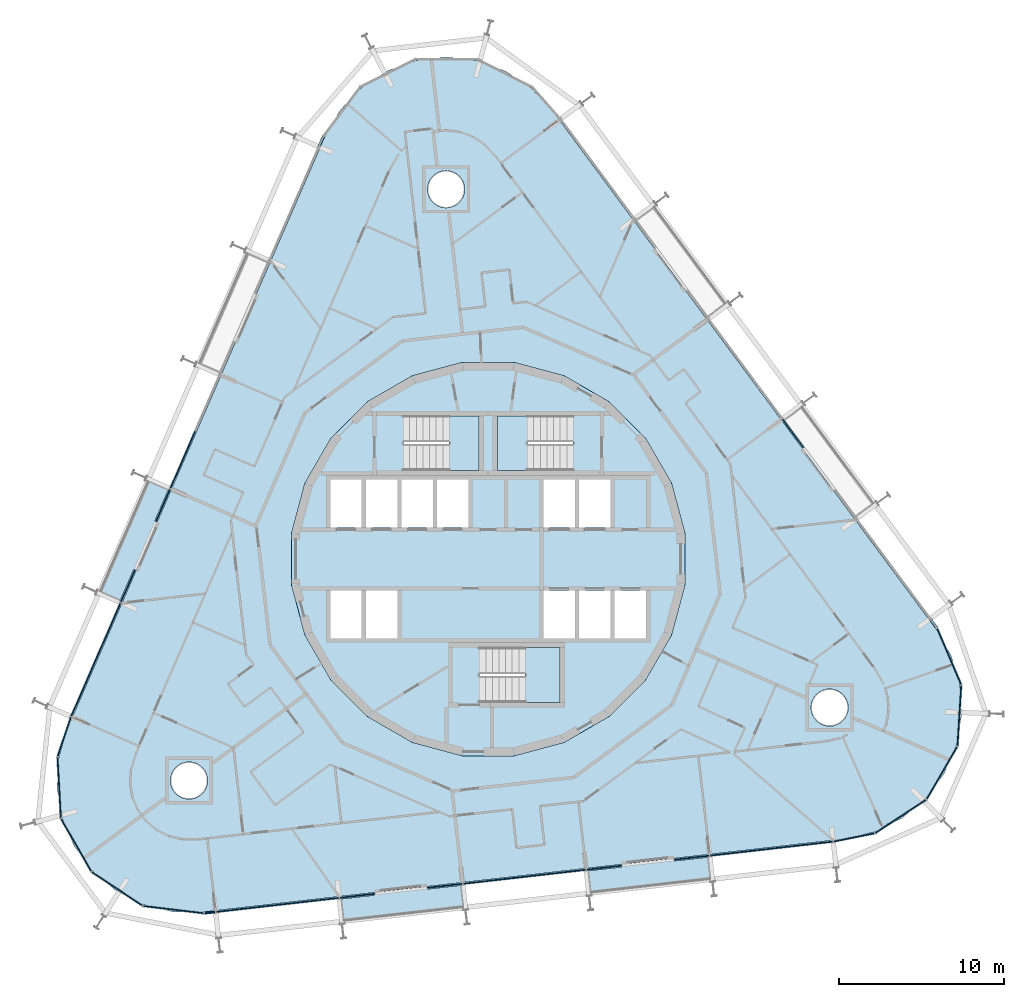
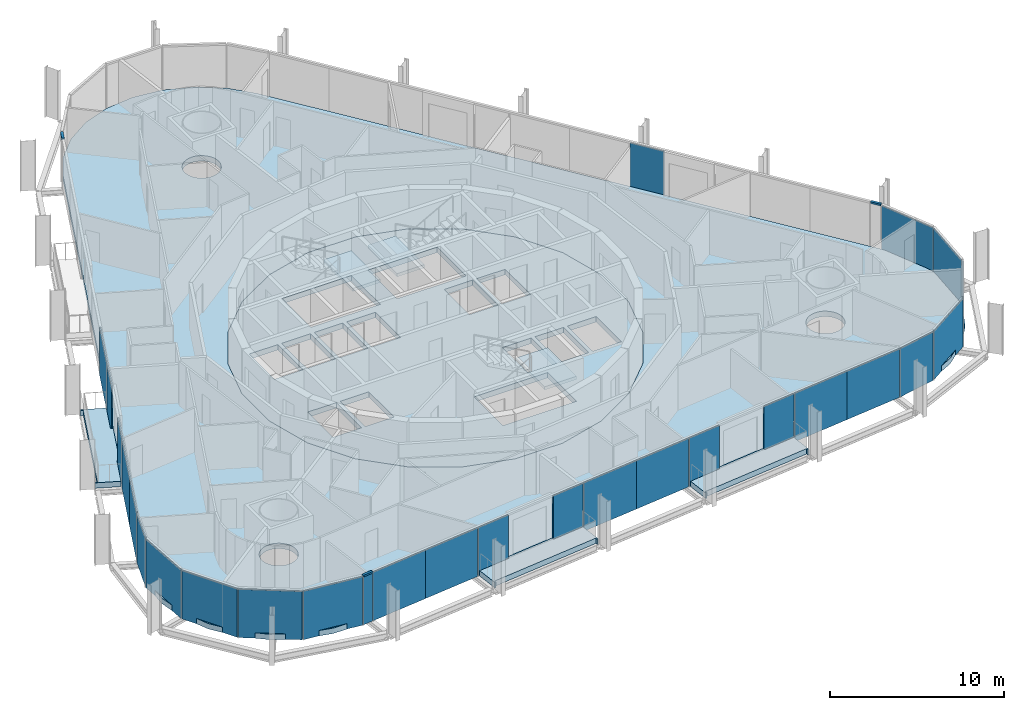
# One storey, part 12 of 21: 27 plates, 8 slabs, 3 members, 9 elements without a shape of their own.
"""IFC4 building model written with IfcOpenShell, lengths in metres."""

from ifc_helpers import new_model, si_unit, direction, frame, origin, origin_2d, place, context, subcontext, project, spatial, polyline, rectangle, outline, extrude, material, layer, layer_set, material_profile, profile_set, type_object, element, aggregate, save


model = new_model("IFC4")

# Units and contexts
model_context = context("Model", 3, precision=1e-05, world=origin(), true_north=direction((0.0, 1.0)))
body_context = subcontext(model_context, "Body", "Model", "MODEL_VIEW")
ifc_project = project(units=[si_unit("LENGTHUNIT", "METRE"), si_unit("AREAUNIT", "SQUARE_METRE"), si_unit("VOLUMEUNIT", "CUBIC_METRE"), si_unit("PLANEANGLEUNIT", "RADIAN"), si_unit("MASSUNIT", "GRAM", prefix="KILO")], contexts=[model_context])

# Site, building, storey
site_placement = place(None, origin())
site = spatial("IfcSite", under=ifc_project, at=site_placement, CompositionType="ELEMENT")
building_placement = place(site_placement, origin())
building = spatial("IfcBuilding", under=site, at=building_placement, Name="Spindle Arch Residences", CompositionType="ELEMENT")
storey_placement = place(building_placement, frame((0.0, 0.0, 97.699951171875)))
storey = spatial("IfcBuildingStorey", under=building, at=storey_placement, Name="L23", CompositionType="ELEMENT", Elevation=97.699951171875)

# Curtain wall, member
ifc_material_1 = material(Name="Aluminium bronze unitised frame with tinted glass", Category="aluminium")
ifc_layer_1 = layer(ifc_material_1, 0.159912109375)
ifc_layer_set_1 = layer_set([ifc_layer_1], Name="CW-D corner wall on the fillet arcs")
curtain_wall_type_1 = type_object("IfcCurtainWallType", Name="CW-D corner wall on the fillet arcs", PredefinedType="NOTDEFINED", material=ifc_layer_set_1)
curtain_wall_1_placement = place(storey_placement, origin())
curtain_wall_1 = element("IfcCurtainWall", 1, at=curtain_wall_1_placement, inside=storey, type_object=curtain_wall_type_1, Name="CW-D L23 run 1", PredefinedType="NOTDEFINED")
ifc_material_2 = material(Name="Aluminium bronze anodised transom", Category="aluminium")
ifc_material_profile = material_profile(ifc_material_2, rectangle(XDim=0.159912109375, YDim=0.1201171875, at=origin_2d()), Name="TR 120x160")
ifc_profile_set = profile_set([ifc_material_profile], Name="Aluminium bronze anodised transom")
member_type = type_object("IfcMemberType", Name="Bronze transom 120x160", PredefinedType="USERDEFINED", material=ifc_profile_set)
member_1_placement = place(storey_placement, frame((27.125, -4.1474609375, 3.06005859375), z_axis=(-0.594872516249, 0.803820060344, 0.0), x_axis=(-0.803820060344, -0.594872516249, 0.0)))
member_1 = element("IfcMember", 2, at=member_1_placement, type_object=member_type, Name="CW-D transom 05", ObjectType="TRANSOM", PredefinedType="USERDEFINED", context=body_context, shape_type="SweptSolid", body=[
    extrude(rectangle(XDim=0.159912109375, YDim=0.1201171875, at=origin_2d()), origin(), (0.0, 0.0, 1.0), 0.641357421875),
])

curtain_wall_2_placement = place(storey_placement, origin())
curtain_wall_2 = element("IfcCurtainWall", 3, at=curtain_wall_2_placement, inside=storey, type_object=curtain_wall_type_1, Name="CW-D L23 run 3", PredefinedType="NOTDEFINED")
member_2_placement = place(storey_placement, frame((-9.970703125, 25.564697265625, 3.06005859375), z_axis=(-0.398461689222, -0.917184977102, 0.0), x_axis=(0.917184977102, -0.398461689222, 0.0)))
member_2 = element("IfcMember", 4, at=member_2_placement, type_object=member_type, Name="CW-D transom 05", ObjectType="TRANSOM", PredefinedType="USERDEFINED", context=body_context, shape_type="SweptSolid", body=[
    extrude(rectangle(XDim=0.159912109375, YDim=0.1201171875, at=origin_2d()), origin(), (0.0, 0.0, 1.0), 0.6416015625),
])
aggregate(curtain_wall_2, [member_2])

curtain_wall_3_placement = place(storey_placement, origin())
curtain_wall_3 = element("IfcCurtainWall", 5, at=curtain_wall_3_placement, inside=storey, type_object=curtain_wall_type_1, Name="CW-D L23 run 5", PredefinedType="NOTDEFINED")
member_3_placement = place(storey_placement, frame((-17.154296875, -21.417236328125, 3.06005859375), z_axis=(0.993549832432, 0.113396342422, 0.0), x_axis=(-0.113396342422, 0.993549832432, 0.0)))
member_3 = element("IfcMember", 6, at=member_3_placement, type_object=member_type, Name="CW-D transom 05", ObjectType="TRANSOM", PredefinedType="USERDEFINED", context=body_context, shape_type="SweptSolid", body=[
    extrude(rectangle(XDim=0.159912109375, YDim=0.1201171875, at=origin_2d()), origin(), (0.0, 0.0, 1.0), 0.6416015625),
])

# Slabs
ifc_material_3 = material(Name="Concrete C40/50", Category="concrete")
ifc_layer_2 = layer(ifc_material_3, 0.3798828125)
ifc_layer_set_2 = layer_set([ifc_layer_2], Name="Balcony slab 380")
slab_type_1 = type_object("IfcSlabType", Name="Balcony slab 380", PredefinedType="FLOOR", material=ifc_layer_set_2)
slab_1_placement = place(storey_placement, frame((0.0, 0.0, -0.3798828125)))
element("IfcSlab", 7, at=slab_1_placement, inside=storey, type_object=slab_type_1, Name="Balcony L23 bay 1", PredefinedType="FLOOR", context=body_context, shape_type="SweptSolid", body=[
    extrude(outline(polyline([(6.176513671875, -20.339111328125), (6.2509765625, -20.33056640625), (6.234130859375, -20.181640625), (13.406494140625, -19.3642578125), (13.423583984375, -19.513427734375), (13.498046875, -19.5048828125), (13.329345703125, -18.0244140625), (11.25830078125, -18.260498046875), (11.240234375, -18.1015625), (8.060791015625, -18.463623046875), (8.078857421875, -18.62255859375), (6.0078125, -18.858642578125), (6.176513671875, -20.339111328125)])), origin(), (0.0, 0.0, 1.0), 0.3798828125),
])
slab_2_placement = place(storey_placement, frame((0.0, 0.0, -0.3798828125)))
element("IfcSlab", 8, at=slab_2_placement, inside=storey, type_object=slab_type_1, Name="Balcony L23 bay 17", PredefinedType="FLOOR", context=body_context, shape_type="SweptSolid", body=[
    extrude(outline(polyline([(-20.702392578125, 4.820556640625), (-20.732421875, 4.751708984375), (-20.5947265625, 4.69189453125), (-23.47314453125, -1.92822265625), (-23.61083984375, -1.868408203125), (-23.640625, -1.937255859375), (-22.2744140625, -2.53125), (-21.443115234375, -0.619873046875), (-21.29638671875, -0.68359375), (-20.0205078125, 2.2509765625), (-20.167236328125, 2.314697265625), (-19.3359375, 4.226318359375), (-20.702392578125, 4.820556640625)])), origin(), (0.0, 0.0, 1.0), 0.3798828125),
])
slab_3_placement = place(storey_placement, frame((0.0, 0.0, -0.3798828125)))
element("IfcSlab", 9, at=slab_3_placement, inside=storey, type_object=slab_type_1, Name="Balcony L23 bay 23", PredefinedType="FLOOR", context=body_context, shape_type="SweptSolid", body=[
    extrude(outline(polyline([(-8.764404296875, -22.041259765625), (-8.68994140625, -22.032958984375), (-8.706787109375, -21.8837890625), (-1.534423828125, -21.066650390625), (-1.517578125, -21.215576171875), (-1.44287109375, -21.207275390625), (-1.611572265625, -19.726806640625), (-3.6826171875, -19.962646484375), (-3.70068359375, -19.8037109375), (-6.880126953125, -20.166015625), (-6.862060546875, -20.324951171875), (-8.93310546875, -20.56103515625), (-8.764404296875, -22.041259765625)])), origin(), (0.0, 0.0, 1.0), 0.3798828125),
])
ifc_material_4 = material(Name="Concrete C50/60", Category="concrete")
ifc_layer_3 = layer(ifc_material_4, 0.3798828125)
ifc_layer_set_3 = layer_set([ifc_layer_3], Name="Core floor slab 380")
slab_type_2 = type_object("IfcSlabType", Name="Core floor slab 380", PredefinedType="FLOOR", material=ifc_layer_set_3)
slab_4_placement = place(storey_placement, frame((0.0, 0.0, -0.3798828125)))
element("IfcSlab", 10, at=slab_4_placement, inside=storey, type_object=slab_type_2, Name="Core floor L23", PredefinedType="FLOOR", context=body_context, shape_type="SweptSolid", body=[
    extrude(outline(polyline([(1.56640625, -11.897216796875), (4.59228515625, -11.086669921875), (7.30517578125, -9.520263671875), (9.520263671875, -7.30517578125), (11.086669921875, -4.59228515625), (11.897216796875, -1.56640625), (11.897216796875, 1.56640625), (11.086669921875, 4.59228515625), (9.520263671875, 7.30517578125), (7.30517578125, 9.520263671875), (4.59228515625, 11.086669921875), (1.56640625, 11.897216796875), (-1.56640625, 11.897216796875), (-4.59228515625, 11.086669921875), (-7.30517578125, 9.520263671875), (-9.520263671875, 7.30517578125), (-11.086669921875, 4.59228515625), (-11.897216796875, 1.56640625), (-11.897216796875, -1.56640625), (-11.086669921875, -4.59228515625), (-9.520263671875, -7.30517578125), (-7.30517578125, -9.520263671875), (-4.59228515625, -11.086669921875), (-1.56640625, -11.897216796875), (1.56640625, -11.897216796875)]), holes=[polyline([(-9.550048828125, 1.89990234375), (-7.64990234375, 1.89990234375), (-7.64990234375, 4.800048828125), (-9.550048828125, 4.800048828125), (-9.550048828125, 1.89990234375)]), polyline([(-7.39990234375, 1.89990234375), (-5.5, 1.89990234375), (-5.5, 4.800048828125), (-7.39990234375, 4.800048828125), (-7.39990234375, 1.89990234375)]), polyline([(-5.25, 1.89990234375), (-3.35009765625, 1.89990234375), (-3.35009765625, 4.800048828125), (-5.25, 4.800048828125), (-5.25, 1.89990234375)]), polyline([(-3.10009765625, 1.89990234375), (-1.199951171875, 1.89990234375), (-1.199951171875, 4.800048828125), (-3.10009765625, 4.800048828125), (-3.10009765625, 1.89990234375)]), polyline([(3.35009765625, 1.89990234375), (5.25, 1.89990234375), (5.25, 4.800048828125), (3.35009765625, 4.800048828125), (3.35009765625, 1.89990234375)]), polyline([(5.5, 1.89990234375), (7.39990234375, 1.89990234375), (7.39990234375, 4.800048828125), (5.5, 4.800048828125), (5.5, 1.89990234375)]), polyline([(-9.550048828125, -4.800048828125), (-7.64990234375, -4.800048828125), (-7.64990234375, -1.89990234375), (-9.550048828125, -1.89990234375), (-9.550048828125, -4.800048828125)]), polyline([(-7.39990234375, -4.800048828125), (-5.5, -4.800048828125), (-5.5, -1.89990234375), (-7.39990234375, -1.89990234375), (-7.39990234375, -4.800048828125)]), polyline([(3.35009765625, -4.800048828125), (5.25, -4.800048828125), (5.25, -1.89990234375), (3.35009765625, -1.89990234375), (3.35009765625, -4.800048828125)]), polyline([(5.5, -4.800048828125), (7.39990234375, -4.800048828125), (7.39990234375, -1.89990234375), (5.5, -1.89990234375), (5.5, -4.800048828125)]), polyline([(7.64990234375, -4.800048828125), (9.550048828125, -4.800048828125), (9.550048828125, -1.89990234375), (7.64990234375, -1.89990234375), (7.64990234375, -4.800048828125)]), polyline([(5.1298828125, 8.669921875), (0.550048828125, 8.669921875), (0.550048828125, 5.35009765625), (5.1298828125, 5.35009765625), (5.1298828125, 8.669921875)]), polyline([(-5.1298828125, 5.35009765625), (-0.550048828125, 5.35009765625), (-0.550048828125, 8.669921875), (-5.1298828125, 8.669921875), (-5.1298828125, 5.35009765625)]), polyline([(-0.530029296875, -8.669921875), (4.35009765625, -8.669921875), (4.35009765625, -5.35009765625), (-0.530029296875, -5.35009765625), (-0.530029296875, -8.669921875)])]), origin(), (0.0, 0.0, 1.0), 0.3798828125),
])

# Stair, slab
ifc_material_5 = material(Name="Concrete C50/60", Category="concrete")
stair_type = type_object("IfcStairType", Name="Exit stair 16 risers", PredefinedType="HALF_TURN_STAIR", material=ifc_material_5)
stair_1_placement = place(storey_placement, origin())
stair_1 = element("IfcStair", 11, at=stair_1_placement, inside=storey, type_object=stair_type, Name="L23 Exit stair ST1", PredefinedType="HALF_TURN_STAIR")
ifc_material_6 = material(Name="Concrete C50/60", Category="concrete")
ifc_layer_4 = layer(ifc_material_6, 0.219970703125)
ifc_layer_set_4 = layer_set([ifc_layer_4], Name="Exit stair landing 220")
slab_type_3 = type_object("IfcSlabType", Name="Exit stair landing 220", PredefinedType="LANDING", material=ifc_layer_set_4)
slab_5_placement = place(storey_placement, frame((0.0, 0.0, 1.530029296875)))
slab_5 = element("IfcSlab", 12, at=slab_5_placement, type_object=slab_type_3, Name="ST1 landing 1", PredefinedType="LANDING", context=body_context, shape_type="SweptSolid", body=[
    extrude(outline(polyline([(2.3701171875, 8.669921875), (0.550048828125, 8.669921875), (0.550048828125, 5.35009765625), (2.3701171875, 5.35009765625), (2.3701171875, 8.669921875)])), origin(), (0.0, 0.0, 1.0), 0.219970703125),
])
aggregate(stair_1, [slab_5])

stair_2_placement = place(storey_placement, origin())
stair_2 = element("IfcStair", 13, at=stair_2_placement, inside=storey, type_object=stair_type, Name="L23 Exit stair ST2", PredefinedType="HALF_TURN_STAIR")
slab_6_placement = place(storey_placement, frame((0.0, 0.0, 1.530029296875)))
slab_6 = element("IfcSlab", 14, at=slab_6_placement, type_object=slab_type_3, Name="ST2 landing 1", PredefinedType="LANDING", context=body_context, shape_type="SweptSolid", body=[
    extrude(outline(polyline([(-2.3701171875, 5.35009765625), (-0.550048828125, 5.35009765625), (-0.550048828125, 8.669921875), (-2.3701171875, 8.669921875), (-2.3701171875, 5.35009765625)])), origin(), (0.0, 0.0, 1.0), 0.219970703125),
])
aggregate(stair_2, [slab_6])

stair_3_placement = place(storey_placement, origin())
stair_3 = element("IfcStair", 15, at=stair_3_placement, inside=storey, type_object=stair_type, Name="L23 Exit stair ST3", PredefinedType="HALF_TURN_STAIR")
slab_7_placement = place(storey_placement, frame((0.0, 0.0, 1.530029296875)))
slab_7 = element("IfcSlab", 16, at=slab_7_placement, type_object=slab_type_3, Name="ST3 landing 1", PredefinedType="LANDING", context=body_context, shape_type="SweptSolid", body=[
    extrude(outline(polyline([(2.22998046875, -8.669921875), (4.35009765625, -8.669921875), (4.35009765625, -5.35009765625), (2.22998046875, -5.35009765625), (2.22998046875, -8.669921875)])), origin(), (0.0, 0.0, 1.0), 0.219970703125),
])
aggregate(stair_3, [slab_7])

# Slab
ifc_material_7 = material(Name="Concrete C40/50", Category="concrete")
ifc_layer_5 = layer(ifc_material_7, 0.3798828125)
ifc_layer_set_5 = layer_set([ifc_layer_5], Name="Floor slab 380")
slab_type_4 = type_object("IfcSlabType", Name="Floor slab 380", PredefinedType="FLOOR", material=ifc_layer_set_5)
slab_8_placement = place(storey_placement, frame((0.0, 0.0, -0.3798828125)))
element("IfcSlab", 17, at=slab_8_placement, inside=storey, type_object=slab_type_4, Name="Floor slab L23", PredefinedType="FLOOR", context=body_context, shape_type="SweptSolid", body=[
    extrude(outline(polyline([(-19.05078125, -21.335693359375), (-20.85693359375, -20.902099609375), (-22.514404296875, -20.0634765625), (-23.933837890625, -18.865478515625), (-25.038818359375, -17.372314453125), (-25.769287109375, -15.66455078125), (-26.086669921875, -13.83447265625), (-25.973388671875, -11.98046875), (-25.435302734375, -10.202392578125), (-9.88525390625, 25.560302734375), (-8.951904296875, 27.166259765625), (-7.673095703125, 28.513671875), (-6.118408203125, 29.52978515625), (-4.37109375, 30.159912109375), (-2.525390625, 30.370361328125), (-0.68115234375, 30.1494140625), (1.0625, 29.5087890625), (2.611328125, 28.483642578125), (3.882080078125, 27.12890625), (27.07861328125, -4.21923828125), (28.002685546875, -5.83056640625), (28.530029296875, -7.611572265625), (28.6328125, -9.46630859375), (28.304931640625, -11.294677734375), (27.564208984375, -12.998046875), (26.45068359375, -14.484619140625), (25.0244140625, -15.674560546875), (23.36181640625, -16.50341796875), (21.55322265625, -16.926513671875), (2.179931640625, -19.1337890625), (-17.193115234375, -21.341064453125), (-19.05078125, -21.335693359375)]), holes=[polyline([(7.30517578125, -9.520263671875), (9.520263671875, -7.30517578125), (11.086669921875, -4.59228515625), (11.897216796875, -1.56640625), (11.897216796875, 1.56640625), (11.086669921875, 4.59228515625), (9.520263671875, 7.30517578125), (7.30517578125, 9.520263671875), (4.59228515625, 11.086669921875), (1.56640625, 11.897216796875), (-1.56640625, 11.897216796875), (-4.59228515625, 11.086669921875), (-7.30517578125, 9.520263671875), (-9.520263671875, 7.30517578125), (-11.086669921875, 4.59228515625), (-11.897216796875, 1.56640625), (-11.897216796875, -1.56640625), (-11.086669921875, -4.59228515625), (-9.520263671875, -7.30517578125), (-7.30517578125, -9.520263671875), (-4.59228515625, -11.086669921875), (-1.56640625, -11.897216796875), (1.56640625, -11.897216796875), (4.59228515625, -11.086669921875), (7.30517578125, -9.520263671875)]), polyline([(-17.303466796875, -14.18798828125), (-17.16357421875, -14.017578125), (-17.0595703125, -13.822998046875), (-16.99560546875, -13.612060546875), (-16.973876953125, -13.392578125), (-16.99560546875, -13.173095703125), (-17.0595703125, -12.9619140625), (-17.16357421875, -12.767578125), (-17.303466796875, -12.596923828125), (-17.473876953125, -12.45703125), (-17.66845703125, -12.35302734375), (-17.87939453125, -12.2890625), (-18.098876953125, -12.267578125), (-18.318359375, -12.2890625), (-18.529296875, -12.35302734375), (-18.723876953125, -12.45703125), (-18.894287109375, -12.596923828125), (-19.0341796875, -12.767578125), (-19.13818359375, -12.9619140625), (-19.202392578125, -13.173095703125), (-19.223876953125, -13.392578125), (-19.202392578125, -13.612060546875), (-19.13818359375, -13.822998046875), (-19.0341796875, -14.017578125), (-18.894287109375, -14.18798828125), (-18.723876953125, -14.327880859375), (-18.529296875, -14.431884765625), (-18.318359375, -14.495849609375), (-18.098876953125, -14.517578125), (-17.87939453125, -14.495849609375), (-17.66845703125, -14.431884765625), (-17.473876953125, -14.327880859375), (-17.303466796875, -14.18798828125)]), polyline([(-1.75341796875, 21.57470703125), (-1.61328125, 21.745361328125), (-1.509521484375, 21.939697265625), (-1.4453125, 22.15087890625), (-1.423828125, 22.370361328125), (-1.4453125, 22.58984375), (-1.509521484375, 22.80078125), (-1.61328125, 22.995361328125), (-1.75341796875, 23.165771484375), (-1.923828125, 23.3056640625), (-2.118408203125, 23.40966796875), (-2.329345703125, 23.4736328125), (-2.548828125, 23.495361328125), (-2.768310546875, 23.4736328125), (-2.979248046875, 23.40966796875), (-3.173828125, 23.3056640625), (-3.34423828125, 23.165771484375), (-3.484130859375, 22.995361328125), (-3.588134765625, 22.80078125), (-3.652099609375, 22.58984375), (-3.673828125, 22.370361328125), (-3.652099609375, 22.15087890625), (-3.588134765625, 21.939697265625), (-3.484130859375, 21.745361328125), (-3.34423828125, 21.57470703125), (-3.173828125, 21.434814453125), (-2.979248046875, 21.330810546875), (-2.768310546875, 21.266845703125), (-2.548828125, 21.245361328125), (-2.329345703125, 21.266845703125), (-2.118408203125, 21.330810546875), (-1.923828125, 21.434814453125), (-1.75341796875, 21.57470703125)]), polyline([(21.443115234375, -9.773193359375), (21.5830078125, -9.602783203125), (21.68701171875, -9.408203125), (21.7509765625, -9.197265625), (21.772705078125, -8.977783203125), (21.7509765625, -8.75830078125), (21.68701171875, -8.54736328125), (21.5830078125, -8.352783203125), (21.443115234375, -8.182373046875), (21.272705078125, -8.04248046875), (21.078125, -7.9384765625), (20.8671875, -7.87451171875), (20.647705078125, -7.852783203125), (20.427978515625, -7.87451171875), (20.217041015625, -7.9384765625), (20.022705078125, -8.04248046875), (19.85205078125, -8.182373046875), (19.712158203125, -8.352783203125), (19.608154296875, -8.54736328125), (19.544189453125, -8.75830078125), (19.522705078125, -8.977783203125), (19.544189453125, -9.197265625), (19.608154296875, -9.408203125), (19.712158203125, -9.602783203125), (19.85205078125, -9.773193359375), (20.022705078125, -9.9130859375), (20.217041015625, -10.01708984375), (20.427978515625, -10.081298828125), (20.647705078125, -10.102783203125), (20.8671875, -10.081298828125), (21.078125, -10.01708984375), (21.272705078125, -9.9130859375), (21.443115234375, -9.773193359375)])]), origin(), (0.0, 0.0, 1.0), 0.3798828125),
])

# Plate
ifc_material_8 = material(Name="Tinted double glazing over non-combustible spandrel zone with 0.55 mm stainless steel cavity fire stop (K0)", Category="steel")
ifc_layer_6 = layer(ifc_material_8, 0.070068359375)
ifc_layer_set_6 = layer_set([ifc_layer_6], Name="Unitised glass panel with spandrel zone and stainless cavity fire stop")
plate_type = type_object("IfcPlateType", Name="Unitised glass panel with spandrel zone and stainless cavity fire stop", PredefinedType="CURTAIN_PANEL", material=ifc_layer_set_6)
plate_1_placement = place(storey_placement, frame((22.127197265625, -16.83203125, -0.3798828125), z_axis=(0.0, 0.0, 1.0), x_axis=(0.980430998553, 0.196863041416, 0.0)))
plate_1 = element("IfcPlate", 18, at=plate_1_placement, type_object=plate_type, Name="CW-D unit 00", PredefinedType="CURTAIN_PANEL", context=body_context, shape_type="SweptSolid", body=[
    extrude(rectangle(XDim=2.51416015625, YDim=0.070068359375, at=origin_2d()), origin(), (0.0, 0.0, 1.0), 3.3798828125),
])

plate_2_placement = place(storey_placement, frame((24.948974609375, -15.55908203125, -0.3798828125), z_axis=(0.0, 0.0, 1.0), x_axis=(0.83708272954, 0.547076323657, 0.0)))
plate_2 = element("IfcPlate", 19, at=plate_2_placement, type_object=plate_type, Name="CW-D unit 01", PredefinedType="CURTAIN_PANEL", context=body_context, shape_type="SweptSolid", body=[
    extrude(rectangle(XDim=3.666748046875, YDim=0.070068359375, at=origin_2d()), origin(), (0.0, 0.0, 1.0), 3.3798828125),
])

plate_3_placement = place(storey_placement, frame((27.445068359375, -12.9287109375, -0.3798828125), z_axis=(0.0, 0.0, 1.0), x_axis=(0.502517045345, 0.864567301682, 0.0)))
plate_3 = element("IfcPlate", 20, at=plate_3_placement, type_object=plate_type, Name="CW-D unit 02", PredefinedType="CURTAIN_PANEL", context=body_context, shape_type="SweptSolid", body=[
    extrude(rectangle(XDim=3.666748046875, YDim=0.070068359375, at=origin_2d()), origin(), (0.0, 0.0, 1.0), 3.3798828125),
])

plate_4_placement = place(storey_placement, frame((28.4951171875, -9.457763671875, -0.3798828125), z_axis=(0.0, 0.0, 1.0), x_axis=(0.06104853612, 0.998134798631, 0.0)))
plate_4 = element("IfcPlate", 21, at=plate_4_placement, type_object=plate_type, Name="CW-D unit 03", PredefinedType="CURTAIN_PANEL", context=body_context, shape_type="SweptSolid", body=[
    extrude(rectangle(XDim=3.666748046875, YDim=0.070068359375, at=origin_2d()), origin(), (0.0, 0.0, 1.0), 3.3798828125),
])

plate_5_placement = place(storey_placement, frame((27.8759765625, -5.884765625, -0.3798828125), z_axis=(0.0, 0.0, 1.0), x_axis=(-0.393407112882, 0.919364369298, 0.0)))
plate_5 = element("IfcPlate", 22, at=plate_5_placement, type_object=plate_type, Name="CW-D unit 04", PredefinedType="CURTAIN_PANEL", context=body_context, shape_type="SweptSolid", body=[
    extrude(rectangle(XDim=3.666748046875, YDim=0.070068359375, at=origin_2d()), origin(), (0.0, 0.0, 1.0), 3.3798828125),
])

aggregate(curtain_wall_1, [plate_1, plate_2, plate_3, plate_4, plate_5, member_1])

# Curtain wall, plate
ifc_material_9 = material(Name="Aluminium bronze unitised frame with tinted glass", Category="aluminium")
ifc_layer_7 = layer(ifc_material_9, 0.159912109375)
ifc_layer_set_7 = layer_set([ifc_layer_7], Name="CW-C typical residential unitised wall")
curtain_wall_type_2 = type_object("IfcCurtainWallType", Name="CW-C typical residential unitised wall", PredefinedType="NOTDEFINED", material=ifc_layer_set_7)
curtain_wall_4_placement = place(storey_placement, origin())
curtain_wall_4 = element("IfcCurtainWall", 23, at=curtain_wall_4_placement, inside=storey, type_object=curtain_wall_type_2, Name="CW-C L23 run 2", PredefinedType="NOTDEFINED")
plate_6_placement = place(storey_placement, frame((18.431884765625, 7.600341796875, -0.3798828125), z_axis=(0.0, 0.0, 1.0), x_axis=(-0.594822786751, 0.803856860617, 0.0)))
plate_6 = element("IfcPlate", 24, at=plate_6_placement, type_object=plate_type, Name="CW-C unit 06R", PredefinedType="CURTAIN_PANEL", context=body_context, shape_type="SweptSolid", body=[
    extrude(rectangle(XDim=2.12939453125, YDim=0.070068359375, at=origin_2d()), origin(), (0.0, 0.0, 1.0), 3.3798828125),
])
aggregate(curtain_wall_4, [plate_6])

# Curtain wall, plates
curtain_wall_5_placement = place(storey_placement, origin())
curtain_wall_5 = element("IfcCurtainWall", 25, at=curtain_wall_5_placement, inside=storey, type_object=curtain_wall_type_2, Name="CW-C L23 run 4", PredefinedType="NOTDEFINED")
plate_7_placement = place(storey_placement, frame((-18.477294921875, 6.000732421875, -0.3798828125), z_axis=(0.0, 0.0, 1.0), x_axis=(-0.398749068925, -0.917060074385, 0.0)))
plate_7 = element("IfcPlate", 26, at=plate_7_placement, type_object=plate_type, Name="CW-C unit 15B", PredefinedType="CURTAIN_PANEL", context=body_context, shape_type="SweptSolid", body=[
    extrude(rectangle(XDim=3.7294921875, YDim=0.070068359375, at=origin_2d()), origin(), (0.0, 0.0, 1.0), 3.3798828125),
])
plate_8_placement = place(storey_placement, frame((-19.669189453125, 3.25927734375, -0.3798828125), z_axis=(0.0, 0.0, 1.0), x_axis=(-0.398749068925, -0.917060074385, 0.0)))
plate_8 = element("IfcPlate", 27, at=plate_8_placement, type_object=plate_type, Name="CW-C unit 16L", PredefinedType="CURTAIN_PANEL", context=body_context, shape_type="SweptSolid", body=[
    extrude(rectangle(XDim=2.12939453125, YDim=0.070068359375, at=origin_2d()), origin(), (0.0, 0.0, 1.0), 3.3798828125),
])
plate_9_placement = place(storey_placement, frame((-21.79443359375, -1.628173828125, -0.3798828125), z_axis=(0.0, 0.0, 1.0), x_axis=(-0.398749068925, -0.917060074385, 0.0)))
plate_9 = element("IfcPlate", 28, at=plate_9_placement, type_object=plate_type, Name="CW-C unit 16R", PredefinedType="CURTAIN_PANEL", context=body_context, shape_type="SweptSolid", body=[
    extrude(rectangle(XDim=2.12939453125, YDim=0.070068359375, at=origin_2d()), origin(), (0.0, 0.0, 1.0), 3.3798828125),
])
plate_10_placement = place(storey_placement, frame((-22.986328125, -4.36962890625, -0.3798828125), z_axis=(0.0, 0.0, 1.0), x_axis=(-0.398749068925, -0.917060074385, 0.0)))
plate_10 = element("IfcPlate", 29, at=plate_10_placement, type_object=plate_type, Name="CW-C unit 17A", PredefinedType="CURTAIN_PANEL", context=body_context, shape_type="SweptSolid", body=[
    extrude(rectangle(XDim=3.7294921875, YDim=0.070068359375, at=origin_2d()), origin(), (0.0, 0.0, 1.0), 3.3798828125),
])
plate_11_placement = place(storey_placement, frame((-24.473388671875, -7.78955078125, -0.3798828125), z_axis=(0.0, 0.0, 1.0), x_axis=(-0.398749068925, -0.917060074385, 0.0)))
plate_11 = element("IfcPlate", 30, at=plate_11_placement, type_object=plate_type, Name="CW-C unit 17B", PredefinedType="CURTAIN_PANEL", context=body_context, shape_type="SweptSolid", body=[
    extrude(rectangle(XDim=3.7294921875, YDim=0.070068359375, at=origin_2d()), origin(), (0.0, 0.0, 1.0), 3.3798828125),
])
aggregate(curtain_wall_5, [plate_7, plate_8, plate_9, plate_10, plate_11])

# Plate
plate_12_placement = place(storey_placement, frame((-25.640380859375, -10.746826171875, -0.3798828125), z_axis=(0.0, 0.0, 1.0), x_axis=(-0.319727106941, -0.947509671237, 0.0)))
plate_12 = element("IfcPlate", 31, at=plate_12_placement, type_object=plate_type, Name="CW-D unit 00", PredefinedType="CURTAIN_PANEL", context=body_context, shape_type="SweptSolid", body=[
    extrude(rectangle(XDim=2.51416015625, YDim=0.070068359375, at=origin_2d()), origin(), (0.0, 0.0, 1.0), 3.3798828125),
])

plate_13_placement = place(storey_placement, frame((-25.948974609375, -13.82666015625, -0.3798828125), z_axis=(0.0, 0.0, 1.0), x_axis=(0.055240622495, -0.998473071057, 0.0)))
plate_13 = element("IfcPlate", 32, at=plate_13_placement, type_object=plate_type, Name="CW-D unit 01", PredefinedType="CURTAIN_PANEL", context=body_context, shape_type="SweptSolid", body=[
    extrude(rectangle(XDim=3.666748046875, YDim=0.070068359375, at=origin_2d()), origin(), (0.0, 0.0, 1.0), 3.3798828125),
])

plate_14_placement = place(storey_placement, frame((-24.919189453125, -17.3037109375, -0.3798828125), z_axis=(0.0, 0.0, 1.0), x_axis=(0.497478721595, -0.867476179247, 0.0)))
plate_14 = element("IfcPlate", 33, at=plate_14_placement, type_object=plate_type, Name="CW-D unit 02", PredefinedType="CURTAIN_PANEL", context=body_context, shape_type="SweptSolid", body=[
    extrude(rectangle(XDim=3.666748046875, YDim=0.070068359375, at=origin_2d()), origin(), (0.0, 0.0, 1.0), 3.3798828125),
])

plate_15_placement = place(storey_placement, frame((-22.438232421875, -19.94873046875, -0.3798828125), z_axis=(0.0, 0.0, 1.0), x_axis=(0.833885820352, -0.551936987903, 0.0)))
plate_15 = element("IfcPlate", 34, at=plate_15_placement, type_object=plate_type, Name="CW-D unit 03", PredefinedType="CURTAIN_PANEL", context=body_context, shape_type="SweptSolid", body=[
    extrude(rectangle(XDim=3.666748046875, YDim=0.070068359375, at=origin_2d()), origin(), (0.0, 0.0, 1.0), 3.3798828125),
])

plate_16_placement = place(storey_placement, frame((-19.034423828125, -21.19873046875, -0.3798828125), z_axis=(0.0, 0.0, 1.0), x_axis=(0.992896454881, -0.118981636756, 0.0)))
plate_16 = element("IfcPlate", 35, at=plate_16_placement, type_object=plate_type, Name="CW-D unit 04", PredefinedType="CURTAIN_PANEL", context=body_context, shape_type="SweptSolid", body=[
    extrude(rectangle(XDim=3.666748046875, YDim=0.070068359375, at=origin_2d()), origin(), (0.0, 0.0, 1.0), 3.3798828125),
])

plate_17_placement = place(storey_placement, frame((-16.835693359375, -21.380859375, -0.3798828125), z_axis=(0.0, 0.0, 1.0), x_axis=(0.993571855677, 0.113203213768, 0.0)))
plate_17 = element("IfcPlate", 36, at=plate_17_placement, type_object=plate_type, Name="CW-D unit 05", PredefinedType="CURTAIN_PANEL", context=body_context, shape_type="SweptSolid", body=[
    extrude(rectangle(XDim=0.6416015625, YDim=0.070068359375, at=origin_2d()), origin(), (0.0, 0.0, 1.0), 3.3798828125),
])

aggregate(curtain_wall_3, [plate_12, plate_13, plate_14, plate_15, plate_16, member_3, plate_17])

# Curtain wall, plates
curtain_wall_6_placement = place(storey_placement, origin())
curtain_wall_6 = element("IfcCurtainWall", 37, at=curtain_wall_6_placement, inside=storey, type_object=curtain_wall_type_2, Name="CW-C L23 run 6", PredefinedType="NOTDEFINED")
plate_18_placement = place(storey_placement, frame((-14.604736328125, -21.126708984375, -0.3798828125), z_axis=(0.0, 0.0, 1.0), x_axis=(0.993571855677, 0.113203213768, 0.0)))
plate_18 = element("IfcPlate", 38, at=plate_18_placement, type_object=plate_type, Name="CW-C unit 21A", PredefinedType="CURTAIN_PANEL", context=body_context, shape_type="SweptSolid", body=[
    extrude(rectangle(XDim=3.7294921875, YDim=0.070068359375, at=origin_2d()), origin(), (0.0, 0.0, 1.0), 3.3798828125),
])
plate_19_placement = place(storey_placement, frame((-10.899169921875, -20.704345703125, -0.3798828125), z_axis=(0.0, 0.0, 1.0), x_axis=(0.993571855677, 0.113203213768, 0.0)))
plate_19 = element("IfcPlate", 39, at=plate_19_placement, type_object=plate_type, Name="CW-C unit 21B", PredefinedType="CURTAIN_PANEL", context=body_context, shape_type="SweptSolid", body=[
    extrude(rectangle(XDim=3.7294921875, YDim=0.070068359375, at=origin_2d()), origin(), (0.0, 0.0, 1.0), 3.3798828125),
])
plate_20_placement = place(storey_placement, frame((-7.928955078125, -20.365966796875, -0.3798828125), z_axis=(0.0, 0.0, 1.0), x_axis=(0.993571855677, 0.113203213768, 0.0)))
plate_20 = element("IfcPlate", 40, at=plate_20_placement, type_object=plate_type, Name="CW-C unit 22L", PredefinedType="CURTAIN_PANEL", context=body_context, shape_type="SweptSolid", body=[
    extrude(rectangle(XDim=2.12939453125, YDim=0.070068359375, at=origin_2d()), origin(), (0.0, 0.0, 1.0), 3.3798828125),
])
plate_21_placement = place(storey_placement, frame((-2.6337890625, -19.7626953125, -0.3798828125), z_axis=(0.0, 0.0, 1.0), x_axis=(0.993571855677, 0.113203213768, 0.0)))
plate_21 = element("IfcPlate", 41, at=plate_21_placement, type_object=plate_type, Name="CW-C unit 22R", PredefinedType="CURTAIN_PANEL", context=body_context, shape_type="SweptSolid", body=[
    extrude(rectangle(XDim=2.12939453125, YDim=0.070068359375, at=origin_2d()), origin(), (0.0, 0.0, 1.0), 3.3798828125),
])
plate_22_placement = place(storey_placement, frame((0.33642578125, -19.42431640625, -0.3798828125), z_axis=(0.0, 0.0, 1.0), x_axis=(0.993571855677, 0.113203213768, 0.0)))
plate_22 = element("IfcPlate", 42, at=plate_22_placement, type_object=plate_type, Name="CW-C unit 23A", PredefinedType="CURTAIN_PANEL", context=body_context, shape_type="SweptSolid", body=[
    extrude(rectangle(XDim=3.7294921875, YDim=0.070068359375, at=origin_2d()), origin(), (0.0, 0.0, 1.0), 3.3798828125),
])
plate_23_placement = place(storey_placement, frame((4.041748046875, -19.002197265625, -0.3798828125), z_axis=(0.0, 0.0, 1.0), x_axis=(0.993571855677, 0.113203213768, 0.0)))
plate_23 = element("IfcPlate", 43, at=plate_23_placement, type_object=plate_type, Name="CW-C unit 23B", PredefinedType="CURTAIN_PANEL", context=body_context, shape_type="SweptSolid", body=[
    extrude(rectangle(XDim=3.7294921875, YDim=0.070068359375, at=origin_2d()), origin(), (0.0, 0.0, 1.0), 3.3798828125),
])
plate_24_placement = place(storey_placement, frame((7.011962890625, -18.663818359375, -0.3798828125), z_axis=(0.0, 0.0, 1.0), x_axis=(0.993571855677, 0.113203213768, 0.0)))
plate_24 = element("IfcPlate", 44, at=plate_24_placement, type_object=plate_type, Name="CW-C unit 00L", PredefinedType="CURTAIN_PANEL", context=body_context, shape_type="SweptSolid", body=[
    extrude(rectangle(XDim=2.12939453125, YDim=0.070068359375, at=origin_2d()), origin(), (0.0, 0.0, 1.0), 3.3798828125),
])
plate_25_placement = place(storey_placement, frame((12.30712890625, -18.060302734375, -0.3798828125), z_axis=(0.0, 0.0, 1.0), x_axis=(0.993571855677, 0.113203213768, 0.0)))
plate_25 = element("IfcPlate", 45, at=plate_25_placement, type_object=plate_type, Name="CW-C unit 00R", PredefinedType="CURTAIN_PANEL", context=body_context, shape_type="SweptSolid", body=[
    extrude(rectangle(XDim=2.12939453125, YDim=0.070068359375, at=origin_2d()), origin(), (0.0, 0.0, 1.0), 3.3798828125),
])
plate_26_placement = place(storey_placement, frame((15.27734375, -17.721923828125, -0.3798828125), z_axis=(0.0, 0.0, 1.0), x_axis=(0.993571855677, 0.113203213768, 0.0)))
plate_26 = element("IfcPlate", 46, at=plate_26_placement, type_object=plate_type, Name="CW-C unit 01A", PredefinedType="CURTAIN_PANEL", context=body_context, shape_type="SweptSolid", body=[
    extrude(rectangle(XDim=3.7294921875, YDim=0.070068359375, at=origin_2d()), origin(), (0.0, 0.0, 1.0), 3.3798828125),
])
plate_27_placement = place(storey_placement, frame((18.982666015625, -17.2998046875, -0.3798828125), z_axis=(0.0, 0.0, 1.0), x_axis=(0.993571855677, 0.113203213768, 0.0)))
plate_27 = element("IfcPlate", 47, at=plate_27_placement, type_object=plate_type, Name="CW-C unit 01B", PredefinedType="CURTAIN_PANEL", context=body_context, shape_type="SweptSolid", body=[
    extrude(rectangle(XDim=3.7294921875, YDim=0.070068359375, at=origin_2d()), origin(), (0.0, 0.0, 1.0), 3.3798828125),
])
aggregate(curtain_wall_6, [plate_18, plate_19, plate_20, plate_21, plate_22, plate_23, plate_24, plate_25, plate_26, plate_27])

save(model, "model.ifc")
